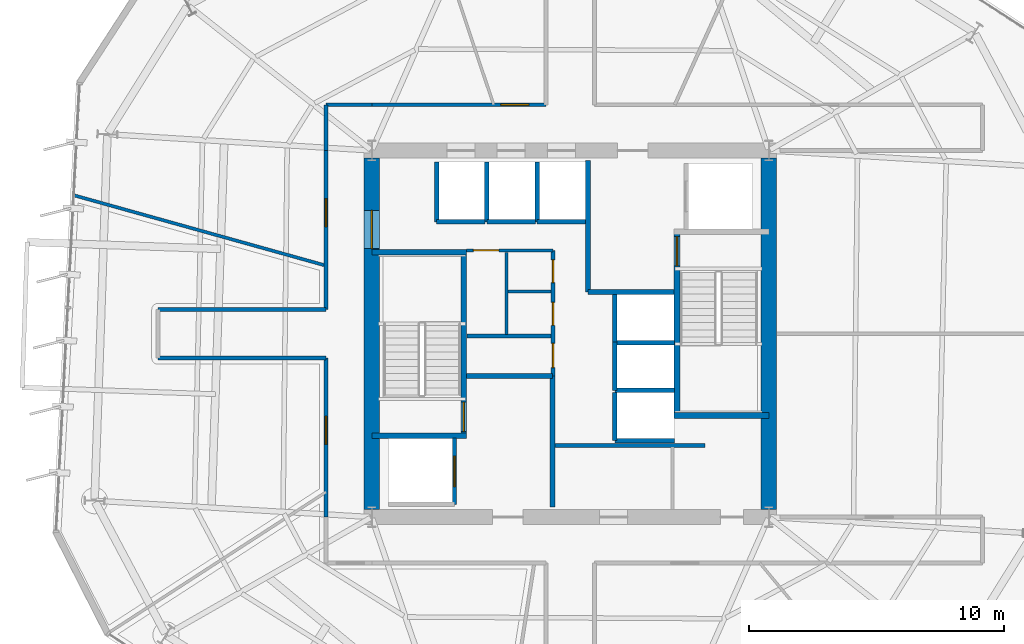
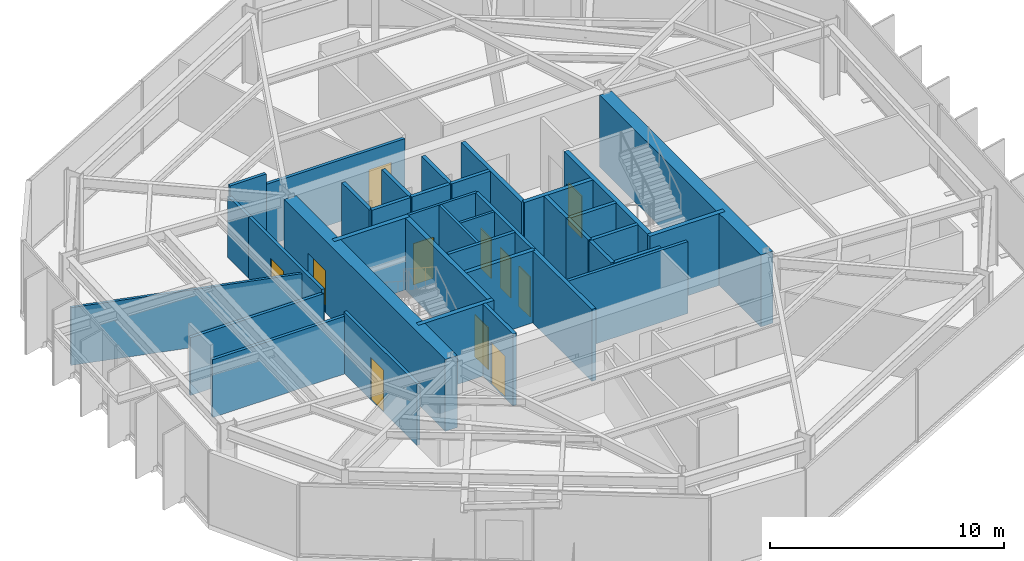
# One storey, part 7 of 10: 38 walls, 11 doors, 11 openings.
"""IFC4 building model written with IfcOpenShell, lengths in metres."""

from ifc_helpers import new_model, si_unit, direction, frame, frame_2d, origin, place, context, subcontext, project, spatial, rectangle, extrude, material, layer, layer_set, type_object, element, fill, save


model = new_model("IFC4")

# Units and contexts
model_context = context("Model", 3, precision=1e-05, world=origin(), true_north=direction((0.0, 1.0)))
body_context = subcontext(model_context, "Body", "Model", "MODEL_VIEW")
ifc_project = project(units=[si_unit("LENGTHUNIT", "METRE"), si_unit("AREAUNIT", "SQUARE_METRE"), si_unit("VOLUMEUNIT", "CUBIC_METRE"), si_unit("PLANEANGLEUNIT", "RADIAN"), si_unit("MASSUNIT", "GRAM", prefix="KILO")], contexts=[model_context])

# Site, building, storey
site_placement = place(None, origin())
site = spatial("IfcSite", under=ifc_project, at=site_placement, CompositionType="ELEMENT")
building_placement = place(site_placement, origin())
building = spatial("IfcBuilding", under=site, at=building_placement, Name="Kranzbogen Civic Tower", CompositionType="ELEMENT")
storey_placement = place(building_placement, frame((0.0, 0.0, 130.39990234375)))
storey = spatial("IfcBuildingStorey", under=building, at=storey_placement, Name="L31", CompositionType="ELEMENT", Elevation=130.39990234375)

# Wall
ifc_material_1 = material(Name="Double-Stud Acoustic Gypsum Partition")
ifc_layer_1 = layer(ifc_material_1, 0.14990234375, Name="Double-Stud Acoustic Gypsum Partition")
ifc_layer_set_1 = layer_set([ifc_layer_1], Name="Double-Stud Acoustic Gypsum Partition")
wall_type_1 = type_object("IfcWallType", Name="Acoustic Corridor and Clinical Partition 150 mm", PredefinedType="PARTITIONING", material=ifc_layer_set_1)
wall_1_placement = place(storey_placement, frame((24.39990234375, 20.610107421875, 0.0), z_axis=(0.0, 0.0, 1.0), x_axis=(1.0, 0.0, 0.0)))
element("IfcWall", 1, at=wall_1_placement, inside=storey, type_object=wall_type_1, Name="L31 records zone North wall", PredefinedType="PARTITIONING", context=body_context, shape_type="SweptSolid", body=[
    extrude(rectangle(XDim=5.900146484375, YDim=0.14990234375, at=frame_2d((2.9501953125, 0.0))), origin(), (0.0, 0.0, 1.0), 3.760009765625),
])

# Wall, opening, door
wall_2_placement = place(storey_placement, frame((15.39990234375, 17.800048828125, 0.0), z_axis=(0.0, 0.0, 1.0), x_axis=(0.0, 1.0, 0.0)))
wall_2 = element("IfcWall", 2, at=wall_2_placement, inside=storey, type_object=wall_type_1, Name="L31 corridor partition 03", PredefinedType="PARTITIONING", context=body_context, shape_type="SweptSolid", body=[
    extrude(rectangle(XDim=6.25, YDim=0.14990234375, at=frame_2d((3.125, 0.0))), origin(), (0.0, 0.0, 1.0), 3.210205078125),
])
opening_1_placement = place(wall_2_placement, frame((2.85888671875, 0.0, 0.0)))
opening_1 = element("IfcOpeningElement", 3, at=opening_1_placement, cuts=wall_2, Name="Opening D-COR60", PredefinedType="OPENING", context=body_context, shape_type="SweptSolid", body=[
    extrude(rectangle(XDim=1.10009765625, YDim=2.199951171875, at=frame_2d((0.550048828125, 1.10009765625))), frame((0.0, 0.0849609375, 0.0), z_axis=(0.0, -1.0, 0.0), x_axis=(1.0, 0.0, 0.0)), (0.0, 0.0, 1.0), 0.169921875),
])
ifc_material_2 = material(Name="Oak Timber and Fire Core", Category="wood")
door_type_1 = type_object("IfcDoorType", Name="Corridor Acoustic Fire Door 1100x2200", OperationType="NOTDEFINED", PredefinedType="DOOR", material=ifc_material_2)
door_1_placement = place(opening_1_placement, origin())
door_1 = element("IfcDoor", 4, at=door_1_placement, inside=storey, type_object=door_type_1, Name="L31 Executive Briefing Conference Room door", OperationType="SINGLE_SWING_RIGHT", OverallHeight=2.199951171875, OverallWidth=1.10009765625, PredefinedType="DOOR", context=body_context, shape_type="SweptSolid", body=[
    extrude(rectangle(XDim=1.10009765625, YDim=2.199951171875, at=frame_2d((0.550048828125, 1.10009765625))), frame((0.0, 0.02490234375, 0.0), z_axis=(0.0, -1.0, 0.0), x_axis=(1.0, 0.0, 0.0)), (0.0, 0.0, 1.0), 0.050048828125),
])
fill(opening_1, door_1)

# Walls
for number, where, z_axis, x_axis, name in (
    (5, (15.39990234375, 24.050048828125, 0.0), (0.0, 0.0, 1.0), (-1.0, 0.0, 0.0), "L31 corridor partition 04"),
    (6, (8.800048828125, 25.949951171875, 0.0), (0.0, 0.0, 1.0), (1.0, 0.0, 0.0), "L31 corridor partition 06"),
):
    element("IfcWall", number, at=place(storey_placement, frame(where, z_axis=z_axis, x_axis=x_axis)), inside=storey, type_object=wall_type_1, Name=name, PredefinedType="PARTITIONING", context=body_context, shape_type="SweptSolid", body=[
        extrude(rectangle(XDim=6.599853515625, YDim=0.14990234375, at=frame_2d((3.2998046875, 0.0))), origin(), (0.0, 0.0, 1.0), 3.02001953125),
    ])

# Wall, opening, door
wall_3_placement = place(storey_placement, frame((15.39990234375, 25.949951171875, 0.0), z_axis=(0.0, 0.0, 1.0), x_axis=(0.0, 1.0, 0.0)))
wall_3 = element("IfcWall", 7, at=wall_3_placement, inside=storey, type_object=wall_type_1, Name="L31 corridor partition 07", PredefinedType="PARTITIONING", context=body_context, shape_type="SweptSolid", body=[
    extrude(rectangle(XDim=6.25, YDim=0.14990234375, at=frame_2d((3.125, 0.0))), origin(), (0.0, 0.0, 1.0), 3.210205078125),
])
opening_2_placement = place(wall_3_placement, frame((3.26611328125, 0.0, 0.0)))
opening_2 = element("IfcOpeningElement", 8, at=opening_2_placement, cuts=wall_3, Name="Opening D-COR60", PredefinedType="OPENING", context=body_context, shape_type="SweptSolid", body=[
    extrude(rectangle(XDim=1.10009765625, YDim=2.199951171875, at=frame_2d((0.550048828125, 1.10009765625))), frame((0.0, 0.0849609375, 0.0), z_axis=(0.0, -1.0, 0.0), x_axis=(1.0, 0.0, 0.0)), (0.0, 0.0, 1.0), 0.169921875),
])
door_2_placement = place(opening_2_placement, origin())
door_2 = element("IfcDoor", 9, at=door_2_placement, inside=storey, type_object=door_type_1, Name="L31 Citizen Services Kiosk door", OperationType="SINGLE_SWING_RIGHT", OverallHeight=2.199951171875, OverallWidth=1.10009765625, PredefinedType="DOOR", context=body_context, shape_type="SweptSolid", body=[
    extrude(rectangle(XDim=1.10009765625, YDim=2.199951171875, at=frame_2d((0.550048828125, 1.10009765625))), frame((0.0, 0.02490234375, 0.0), z_axis=(0.0, -1.0, 0.0), x_axis=(1.0, 0.0, 0.0)), (0.0, 0.0, 1.0), 0.050048828125),
])
fill(opening_2, door_2)

# Walls
wall_4_placement = place(storey_placement, frame((15.39990234375, 32.199951171875, 0.0), z_axis=(0.0, 0.0, 1.0), x_axis=(0.0, 1.0, 0.0)))
element("IfcWall", 10, at=wall_4_placement, inside=storey, type_object=wall_type_1, Name="L31 corridor partition 08", PredefinedType="PARTITIONING", context=body_context, shape_type="SweptSolid", body=[
    extrude(rectangle(XDim=1.800048828125, YDim=0.14990234375, at=frame_2d((0.89990234375, 0.0))), origin(), (0.0, 0.0, 1.0), 3.210205078125),
])
wall_5_placement = place(storey_placement, frame((15.39990234375, 34.0, 0.0), z_axis=(0.0, 0.0, 1.0), x_axis=(1.0, 0.0, 0.0)))
element("IfcWall", 11, at=wall_5_placement, inside=storey, type_object=wall_type_1, Name="L31 corridor partition 09", PredefinedType="PARTITIONING", context=body_context, shape_type="SweptSolid", body=[
    extrude(rectangle(XDim=1.800048828125, YDim=0.14990234375, at=frame_2d((0.89990234375, 0.0))), origin(), (0.0, 0.0, 1.0), 3.760009765625),
])

# Wall, opening, door
wall_6_placement = place(storey_placement, frame((17.199951171875, 34.0, 0.0), z_axis=(0.0, 0.0, 1.0), x_axis=(1.0, 0.0, 0.0)))
wall_6 = element("IfcWall", 12, at=wall_6_placement, inside=storey, type_object=wall_type_1, Name="L31 corridor partition 10", PredefinedType="PARTITIONING", context=body_context, shape_type="SweptSolid", body=[
    extrude(rectangle(XDim=6.85009765625, YDim=0.14990234375, at=frame_2d((3.425048828125, 0.0))), origin(), (0.0, 0.0, 1.0), 3.210205078125),
])
opening_3_placement = place(wall_6_placement, frame((5.074951171875, 0.0, 0.0)))
opening_3 = element("IfcOpeningElement", 13, at=opening_3_placement, cuts=wall_6, Name="Opening D-COR60", PredefinedType="OPENING", context=body_context, shape_type="SweptSolid", body=[
    extrude(rectangle(XDim=1.10009765625, YDim=2.199951171875, at=frame_2d((0.550048828125, 1.10009765625))), frame((0.0, 0.0849609375, 0.0), z_axis=(0.0, -1.0, 0.0), x_axis=(1.0, 0.0, 0.0)), (0.0, 0.0, 1.0), 0.169921875),
])
door_3_placement = place(opening_3_placement, origin())
door_3 = element("IfcDoor", 14, at=door_3_placement, inside=storey, type_object=door_type_1, Name="L31 Protocol Entrance Reception door", OperationType="SINGLE_SWING_LEFT", OverallHeight=2.199951171875, OverallWidth=1.10009765625, PredefinedType="DOOR", context=body_context, shape_type="SweptSolid", body=[
    extrude(rectangle(XDim=1.10009765625, YDim=2.199951171875, at=frame_2d((0.550048828125, 1.10009765625))), frame((0.0, 0.02490234375, 0.0), z_axis=(0.0, -1.0, 0.0), x_axis=(1.0, 0.0, 0.0)), (0.0, 0.0, 1.0), 0.050048828125),
])
fill(opening_3, door_3)

ifc_material_3 = material(Name="Insulated Metal-Stud Gypsum Partition")
ifc_layer_2 = layer(ifc_material_3, 0.125, Name="Insulated Metal-Stud Gypsum Partition")
ifc_layer_set_2 = layer_set([ifc_layer_2], Name="Insulated Metal-Stud Gypsum Partition")
wall_type_2 = type_object("IfcWallType", Name="Acoustic Inter-Room Partition 125 mm", PredefinedType="PARTITIONING", material=ifc_layer_set_2)
wall_7_placement = place(storey_placement, frame((20.919921875, 28.280029296875, 0.0), z_axis=(0.0, 0.0, 1.0), x_axis=(1.0, 0.0, 0.0)))
wall_7 = element("IfcWall", 15, at=wall_7_placement, inside=storey, type_object=wall_type_2, Name="L31 core auxiliary North wall", PredefinedType="PARTITIONING", context=body_context, shape_type="SweptSolid", body=[
    extrude(rectangle(XDim=3.405029296875, YDim=0.125, at=frame_2d((1.70263671875, 0.0))), origin(), (0.0, 0.0, 1.0), 3.760009765625),
])
opening_4_placement = place(wall_7_placement, frame((0.27001953125, 0.0, 0.0)))
opening_4 = element("IfcOpeningElement", 16, at=opening_4_placement, cuts=wall_7, Name="Opening D-RSR10", PredefinedType="OPENING", context=body_context, shape_type="SweptSolid", body=[
    extrude(rectangle(XDim=1.0, YDim=2.14990234375, at=frame_2d((0.5, 1.074951171875))), frame((0.0, 0.072509765625, 0.0), z_axis=(0.0, -1.0, 0.0), x_axis=(1.0, 0.0, 0.0)), (0.0, 0.0, 1.0), 0.14501953125),
])
door_type_2 = type_object("IfcDoorType", Name="Core Archive and Riser Fire Door 1000x2150", OperationType="NOTDEFINED", PredefinedType="DOOR", material=ifc_material_2)
door_4_placement = place(opening_4_placement, origin())
door_4 = element("IfcDoor", 17, at=door_4_placement, inside=storey, type_object=door_type_2, Name="L31 Floor Supply Store door", OperationType="SINGLE_SWING_LEFT", OverallHeight=2.14990234375, OverallWidth=1.0, PredefinedType="DOOR", context=body_context, shape_type="SweptSolid", body=[
    extrude(rectangle(XDim=1.0, YDim=2.14990234375, at=frame_2d((0.5, 1.074951171875))), frame((0.0, 0.02490234375, 0.0), z_axis=(0.0, -1.0, 0.0), x_axis=(1.0, 0.0, 0.0)), (0.0, 0.0, 1.0), 0.050048828125),
])
fill(opening_4, door_4)

# Walls
wall_8_placement = place(storey_placement, frame((22.489990234375, 24.969970703125, 0.0), z_axis=(0.0, 0.0, 1.0), x_axis=(0.0, 1.0, 0.0)))
element("IfcWall", 18, at=wall_8_placement, inside=storey, type_object=wall_type_2, Name="L31 core auxiliary partition 3", PredefinedType="PARTITIONING", context=body_context, shape_type="SweptSolid", body=[
    extrude(rectangle(XDim=3.22998046875, YDim=0.125, at=frame_2d((1.614990234375, 0.0))), origin(), (0.0, 0.0, 1.0), 3.760009765625),
])
wall_9_placement = place(storey_placement, frame((22.550048828125, 26.659912109375, 0.0), z_axis=(0.0, 0.0, 1.0), x_axis=(1.0, 0.0, 0.0)))
element("IfcWall", 19, at=wall_9_placement, inside=storey, type_object=wall_type_2, Name="L31 core auxiliary partition 4", PredefinedType="PARTITIONING", context=body_context, shape_type="SweptSolid", body=[
    extrude(rectangle(XDim=1.699951171875, YDim=0.125, at=frame_2d((0.85009765625, 0.0))), origin(), (0.0, 0.0, 1.0), 3.760009765625),
])
wall_10_placement = place(storey_placement, frame((15.39990234375, 27.678955078125, 0.0), z_axis=(0.0, 0.0, 1.0), x_axis=(-0.963195872144, 0.268800505737, 0.0)))
element("IfcWall", 20, at=wall_10_placement, inside=storey, type_object=wall_type_2, Name="L31 radial room partition 03", PredefinedType="PARTITIONING", context=body_context, shape_type="SweptSolid", body=[
    extrude(rectangle(XDim=10.275146484375, YDim=0.125, at=frame_2d((5.1376953125, 0.0))), origin(), (0.0, 0.0, 1.0), 3.02001953125),
])

# Wall, opening, door
ifc_material_4 = material(Name="Concrete C55/67", Category="concrete")
ifc_layer_3 = layer(ifc_material_4, 0.60009765625, Name="Concrete C55/67")
ifc_layer_set_3 = layer_set([ifc_layer_3], Name="Concrete C55/67")
wall_type_3 = type_object("IfcWallType", Name="Central Core Shear Wall 600 mm", PredefinedType="SHEAR", material=ifc_layer_set_3)
wall_11_placement = place(storey_placement, frame((17.199951171875, 31.89990234375, 0.0), z_axis=(0.0, 0.0, 1.0), x_axis=(0.0, -1.0, 0.0)))
wall_11 = element("IfcWall", 21, at=wall_11_placement, inside=storey, type_object=wall_type_3, Name="L31 central core West shear wall", PredefinedType="SHEAR", context=body_context, shape_type="SweptSolid", body=[
    extrude(rectangle(XDim=13.7998046875, YDim=0.60009765625, at=frame_2d((6.89990234375, 0.0))), origin(), (0.0, 0.0, 1.0), 3.760009765625),
])
opening_5_placement = place(wall_11_placement, frame((2.050048828125, 0.0, 0.0)))
opening_5 = element("IfcOpeningElement", 22, at=opening_5_placement, cuts=wall_11, Name="Opening D-DBL15", PredefinedType="OPENING", context=body_context, shape_type="SweptSolid", body=[
    extrude(rectangle(XDim=1.5, YDim=2.199951171875, at=frame_2d((0.75, 1.10009765625))), frame((0.0, 0.31005859375, 0.0), z_axis=(0.0, -1.0, 0.0), x_axis=(1.0, 0.0, 0.0)), (0.0, 0.0, 1.0), 0.6201171875),
])
ifc_material_5 = material(Name="Anodised Bronze and Glass", Category="glass")
door_type_3 = type_object("IfcDoorType", Name="Civic Lobby Double Door 1500x2200", OperationType="DOUBLE_DOOR_SINGLE_SWING", PredefinedType="DOOR", material=ifc_material_5)
door_5_placement = place(opening_5_placement, origin())
door_5 = element("IfcDoor", 23, at=door_5_placement, inside=storey, type_object=door_type_3, Name="L31 Central Lift Lobby West concourse door", OperationType="DOUBLE_DOOR_SINGLE_SWING", OverallHeight=2.199951171875, OverallWidth=1.5, PredefinedType="DOOR", context=body_context, shape_type="SweptSolid", body=[
    extrude(rectangle(XDim=1.5, YDim=2.199951171875, at=frame_2d((0.75, 1.10009765625))), frame((0.0, 0.02490234375, 0.0), z_axis=(0.0, -1.0, 0.0), x_axis=(1.0, 0.0, 0.0)), (0.0, 0.0, 1.0), 0.050048828125),
])
fill(opening_5, door_5)

# Wall
wall_12_placement = place(storey_placement, frame((32.800048828125, 18.10009765625, 0.0), z_axis=(0.0, 0.0, 1.0), x_axis=(0.0, 1.0, 0.0)))
element("IfcWall", 24, at=wall_12_placement, inside=storey, type_object=wall_type_3, Name="L31 central core East shear wall", PredefinedType="SHEAR", context=body_context, shape_type="SweptSolid", body=[
    extrude(rectangle(XDim=13.7998046875, YDim=0.60009765625, at=frame_2d((6.89990234375, 0.0))), origin(), (0.0, 0.0, 1.0), 3.760009765625),
])

# Wall, opening, door
ifc_material_6 = material(Name="Concrete C45/55", Category="concrete")
ifc_layer_4 = layer(ifc_material_6, 0.219970703125, Name="Concrete C45/55")
ifc_layer_set_4 = layer_set([ifc_layer_4], Name="Concrete C45/55")
wall_type_4 = type_object("IfcWallType", Name="Core Internal Stair Structural Wall 220 mm", PredefinedType="SOLIDWALL", material=ifc_layer_set_4)
wall_13_placement = place(storey_placement, frame((20.81005859375, 20.989990234375, 0.0), z_axis=(0.0, 0.0, 1.0), x_axis=(0.0, 1.0, 0.0)))
wall_13 = element("IfcWall", 25, at=wall_13_placement, inside=storey, type_object=wall_type_4, Name="L31 ST-T1 East structural stair wall", PredefinedType="SOLIDWALL", context=body_context, shape_type="SweptSolid", body=[
    extrude(rectangle(XDim=7.219970703125, YDim=0.219970703125, at=frame_2d((3.60986328125, 0.0))), origin(), (0.0, 0.0, 1.0), 3.760009765625),
])
opening_6_placement = place(wall_13_placement, frame((0.179931640625, 0.0, 0.0)))
opening_6 = element("IfcOpeningElement", 26, at=opening_6_placement, cuts=wall_13, Name="Opening D-ST90", PredefinedType="OPENING", context=body_context, shape_type="SweptSolid", body=[
    extrude(rectangle(XDim=1.14990234375, YDim=2.199951171875, at=frame_2d((0.574951171875, 1.10009765625))), frame((0.0, 0.1201171875, 0.0), z_axis=(0.0, -1.0, 0.0), x_axis=(1.0, 0.0, 0.0)), (0.0, 0.0, 1.0), 0.239990234375),
])
ifc_material_7 = material(Name="Steel S355", Category="steel")
door_type_4 = type_object("IfcDoorType", Name="Pressurized Stair and Lobby Fire Door 1150x2200", OperationType="NOTDEFINED", PredefinedType="DOOR", material=ifc_material_7)
door_6_placement = place(opening_6_placement, origin())
door_6 = element("IfcDoor", 27, at=door_6_placement, inside=storey, type_object=door_type_4, Name="L31 Stair ST-T1 fire door", OperationType="SINGLE_SWING_RIGHT", OverallHeight=2.199951171875, OverallWidth=1.14990234375, PredefinedType="DOOR", context=body_context, shape_type="SweptSolid", body=[
    extrude(rectangle(XDim=1.14990234375, YDim=2.199951171875, at=frame_2d((0.574951171875, 1.10009765625))), frame((0.0, 0.02490234375, 0.0), z_axis=(0.0, -1.0, 0.0), x_axis=(1.0, 0.0, 0.0)), (0.0, 0.0, 1.0), 0.050048828125),
])
fill(opening_6, door_6)

# Walls
for number, where, z_axis, x_axis, name in (
    (28, (17.199951171875, 20.989990234375, 0.0), (0.0, 0.0, 1.0), (1.0, 0.0, 0.0), "L31 ST-T1 South structural stair wall"),
    (29, (17.199951171875, 28.2099609375, 0.0), (0.0, 0.0, 1.0), (1.0, 0.0, 0.0), "L31 ST-T1 North structural stair wall"),
):
    element("IfcWall", number, at=place(storey_placement, frame(where, z_axis=z_axis, x_axis=x_axis)), inside=storey, type_object=wall_type_4, Name=name, PredefinedType="SOLIDWALL", context=body_context, shape_type="SweptSolid", body=[
        extrude(rectangle(XDim=3.719970703125, YDim=0.219970703125, at=frame_2d((1.85986328125, 0.0))), origin(), (0.0, 0.0, 1.0), 3.760009765625),
    ])

# Wall, opening, door
wall_14_placement = place(storey_placement, frame((29.18994140625, 21.7900390625, 0.0), z_axis=(0.0, 0.0, 1.0), x_axis=(0.0, 1.0, 0.0)))
wall_14 = element("IfcWall", 30, at=wall_14_placement, inside=storey, type_object=wall_type_4, Name="L31 ST-T2 West structural stair wall", PredefinedType="SOLIDWALL", context=body_context, shape_type="SweptSolid", body=[
    extrude(rectangle(XDim=7.219970703125, YDim=0.219970703125, at=frame_2d((3.60986328125, 0.0))), origin(), (0.0, 0.0, 1.0), 3.760009765625),
])
opening_7_placement = place(wall_14_placement, frame((5.8798828125, 0.0, 0.0)))
opening_7 = element("IfcOpeningElement", 31, at=opening_7_placement, cuts=wall_14, Name="Opening D-ST90", PredefinedType="OPENING", context=body_context, shape_type="SweptSolid", body=[
    extrude(rectangle(XDim=1.14990234375, YDim=2.199951171875, at=frame_2d((0.574951171875, 1.10009765625))), frame((0.0, 0.1201171875, 0.0), z_axis=(0.0, -1.0, 0.0), x_axis=(1.0, 0.0, 0.0)), (0.0, 0.0, 1.0), 0.239990234375),
])
door_7_placement = place(opening_7_placement, origin())
door_7 = element("IfcDoor", 32, at=door_7_placement, inside=storey, type_object=door_type_4, Name="L31 Stair ST-T2 fire door", OperationType="SINGLE_SWING_LEFT", OverallHeight=2.199951171875, OverallWidth=1.14990234375, PredefinedType="DOOR", context=body_context, shape_type="SweptSolid", body=[
    extrude(rectangle(XDim=1.14990234375, YDim=2.199951171875, at=frame_2d((0.574951171875, 1.10009765625))), frame((0.0, 0.02490234375, 0.0), z_axis=(0.0, -1.0, 0.0), x_axis=(1.0, 0.0, 0.0)), (0.0, 0.0, 1.0), 0.050048828125),
])
fill(opening_7, door_7)

# Walls
wall_15_placement = place(storey_placement, frame((29.080078125, 21.7900390625, 0.0), z_axis=(0.0, 0.0, 1.0), x_axis=(1.0, 0.0, 0.0)))
element("IfcWall", 33, at=wall_15_placement, inside=storey, type_object=wall_type_4, Name="L31 ST-T2 South structural stair wall", PredefinedType="SOLIDWALL", context=body_context, shape_type="SweptSolid", body=[
    extrude(rectangle(XDim=3.719970703125, YDim=0.219970703125, at=frame_2d((1.85986328125, 0.0))), origin(), (0.0, 0.0, 1.0), 3.760009765625),
])
ifc_material_8 = material(Name="Gypsum Fireboard and Concrete Block", Category="concrete")
ifc_layer_5 = layer(ifc_material_8, 0.199951171875, Name="Gypsum Fireboard and Concrete Block")
ifc_layer_set_5 = layer_set([ifc_layer_5], Name="Gypsum Fireboard and Concrete Block")
wall_type_5 = type_object("IfcWallType", Name="Fire-Rated Exit Passageway and Stair Wall 200 mm", PredefinedType="PARTITIONING", material=ifc_layer_set_5)
wall_16_placement = place(storey_placement, frame((24.300048828125, 18.199951171875, 0.0), z_axis=(0.0, 0.0, 1.0), x_axis=(0.0, 1.0, 0.0)))
element("IfcWall", 34, at=wall_16_placement, inside=storey, type_object=wall_type_5, Name="L31 West firefighting lobby East wall", PredefinedType="PARTITIONING", context=body_context, shape_type="SweptSolid", body=[
    extrude(rectangle(XDim=5.150146484375, YDim=0.199951171875, at=frame_2d((2.5751953125, 0.0))), origin(), (0.0, 0.0, 1.0), 3.760009765625),
])
wall_17_placement = place(storey_placement, frame((20.919921875, 23.35009765625, 0.0), z_axis=(0.0, 0.0, 1.0), x_axis=(1.0, 0.0, 0.0)))
element("IfcWall", 35, at=wall_17_placement, inside=storey, type_object=wall_type_5, Name="L31 West firefighting lobby North wall", PredefinedType="PARTITIONING", context=body_context, shape_type="SweptSolid", body=[
    extrude(rectangle(XDim=3.380126953125, YDim=0.199951171875, at=frame_2d((1.68994140625, 0.0))), origin(), (0.0, 0.0, 1.0), 3.760009765625),
])
wall_18_placement = place(storey_placement, frame((25.699951171875, 26.64990234375, 0.0), z_axis=(0.0, 0.0, 1.0), x_axis=(0.0, 1.0, 0.0)))
element("IfcWall", 36, at=wall_18_placement, inside=storey, type_object=wall_type_5, Name="L31 East firefighting lobby West wall", PredefinedType="PARTITIONING", context=body_context, shape_type="SweptSolid", body=[
    extrude(rectangle(XDim=5.150146484375, YDim=0.199951171875, at=frame_2d((2.5751953125, 0.0))), origin(), (0.0, 0.0, 1.0), 3.760009765625),
])
wall_19_placement = place(storey_placement, frame((25.699951171875, 26.64990234375, 0.0), z_axis=(0.0, 0.0, 1.0), x_axis=(1.0, 0.0, 0.0)))
element("IfcWall", 37, at=wall_19_placement, inside=storey, type_object=wall_type_5, Name="L31 East firefighting lobby South wall", PredefinedType="PARTITIONING", context=body_context, shape_type="SweptSolid", body=[
    extrude(rectangle(XDim=3.380126953125, YDim=0.199951171875, at=frame_2d((1.68994140625, 0.0))), origin(), (0.0, 0.0, 1.0), 3.760009765625),
])
ifc_material_9 = material(Name="Gypsum Fireboard Shaftliner")
ifc_layer_6 = layer(ifc_material_9, 0.175048828125, Name="Gypsum Fireboard Shaftliner")
ifc_layer_set_6 = layer_set([ifc_layer_6], Name="Gypsum Fireboard Shaftliner")
wall_type_6 = type_object("IfcWallType", Name="Fire-Rated Lift and Service Shaft Wall 175 mm", PredefinedType="PARTITIONING", material=ifc_layer_set_6)
wall_20_placement = place(storey_placement, frame((19.75, 29.39990234375, 0.0), z_axis=(0.0, 0.0, 1.0), x_axis=(1.0, 0.0, 0.0)))
element("IfcWall", 38, at=wall_20_placement, inside=storey, type_object=wall_type_6, Name="L31 lift MP-01 rear wall", PredefinedType="PARTITIONING", context=body_context, shape_type="SweptSolid", body=[
    extrude(rectangle(XDim=1.89990234375, YDim=0.175048828125, at=frame_2d((0.949951171875, 0.0))), origin(), (0.0, 0.0, 1.0), 3.760009765625),
])
wall_21_placement = place(storey_placement, frame((19.75, 29.39990234375, 0.0), z_axis=(0.0, 0.0, 1.0), x_axis=(0.0, 1.0, 0.0)))
element("IfcWall", 39, at=wall_21_placement, inside=storey, type_object=wall_type_6, Name="L31 lift MP-01 side wall", PredefinedType="PARTITIONING", context=body_context, shape_type="SweptSolid", body=[
    extrude(rectangle(XDim=2.35009765625, YDim=0.175048828125, at=frame_2d((1.175048828125, 0.0))), origin(), (0.0, 0.0, 1.0), 3.760009765625),
])
wall_22_placement = place(storey_placement, frame((21.72509765625, 29.39990234375, 0.0), z_axis=(0.0, 0.0, 1.0), x_axis=(1.0, 0.0, 0.0)))
element("IfcWall", 40, at=wall_22_placement, inside=storey, type_object=wall_type_6, Name="L31 lift MP-02 rear wall", PredefinedType="PARTITIONING", context=body_context, shape_type="SweptSolid", body=[
    extrude(rectangle(XDim=1.89990234375, YDim=0.175048828125, at=frame_2d((0.949951171875, 0.0))), origin(), (0.0, 0.0, 1.0), 3.760009765625),
])
wall_23_placement = place(storey_placement, frame((21.72509765625, 29.39990234375, 0.0), z_axis=(0.0, 0.0, 1.0), x_axis=(0.0, 1.0, 0.0)))
element("IfcWall", 41, at=wall_23_placement, inside=storey, type_object=wall_type_6, Name="L31 lift MP-02 side wall", PredefinedType="PARTITIONING", context=body_context, shape_type="SweptSolid", body=[
    extrude(rectangle(XDim=2.35009765625, YDim=0.175048828125, at=frame_2d((1.175048828125, 0.0))), origin(), (0.0, 0.0, 1.0), 3.760009765625),
])
wall_24_placement = place(storey_placement, frame((23.699951171875, 29.39990234375, 0.0), z_axis=(0.0, 0.0, 1.0), x_axis=(1.0, 0.0, 0.0)))
element("IfcWall", 42, at=wall_24_placement, inside=storey, type_object=wall_type_6, Name="L31 lift MP-03 rear wall", PredefinedType="PARTITIONING", context=body_context, shape_type="SweptSolid", body=[
    extrude(rectangle(XDim=1.900146484375, YDim=0.175048828125, at=frame_2d((0.9501953125, 0.0))), origin(), (0.0, 0.0, 1.0), 3.760009765625),
])
wall_25_placement = place(storey_placement, frame((23.699951171875, 29.39990234375, 0.0), z_axis=(0.0, 0.0, 1.0), x_axis=(0.0, 1.0, 0.0)))
element("IfcWall", 43, at=wall_25_placement, inside=storey, type_object=wall_type_6, Name="L31 lift MP-03 side wall", PredefinedType="PARTITIONING", context=body_context, shape_type="SweptSolid", body=[
    extrude(rectangle(XDim=2.35009765625, YDim=0.175048828125, at=frame_2d((1.175048828125, 0.0))), origin(), (0.0, 0.0, 1.0), 3.760009765625),
])
wall_26_placement = place(storey_placement, frame((26.75, 20.800048828125, 0.0), z_axis=(0.0, 0.0, 1.0), x_axis=(0.0, 1.0, 0.0)))
element("IfcWall", 44, at=wall_26_placement, inside=storey, type_object=wall_type_6, Name="L31 lift HP-01 landing wall", PredefinedType="PARTITIONING", context=body_context, shape_type="SweptSolid", body=[
    extrude(rectangle(XDim=1.89990234375, YDim=0.175048828125, at=frame_2d((0.949951171875, 0.0))), origin(), (0.0, 0.0, 1.0), 3.760009765625),
])
wall_27_placement = place(storey_placement, frame((26.75, 20.800048828125, 0.0), z_axis=(0.0, 0.0, 1.0), x_axis=(1.0, 0.0, 0.0)))
element("IfcWall", 45, at=wall_27_placement, inside=storey, type_object=wall_type_6, Name="L31 lift HP-01 side wall", PredefinedType="PARTITIONING", context=body_context, shape_type="SweptSolid", body=[
    extrude(rectangle(XDim=2.35009765625, YDim=0.175048828125, at=frame_2d((1.175048828125, 0.0))), origin(), (0.0, 0.0, 1.0), 3.760009765625),
])
wall_28_placement = place(storey_placement, frame((26.75, 22.77490234375, 0.0), z_axis=(0.0, 0.0, 1.0), x_axis=(0.0, 1.0, 0.0)))
element("IfcWall", 46, at=wall_28_placement, inside=storey, type_object=wall_type_6, Name="L31 lift HP-02 landing wall", PredefinedType="PARTITIONING", context=body_context, shape_type="SweptSolid", body=[
    extrude(rectangle(XDim=1.900146484375, YDim=0.175048828125, at=frame_2d((0.9501953125, 0.0))), origin(), (0.0, 0.0, 1.0), 3.760009765625),
])
wall_29_placement = place(storey_placement, frame((26.75, 22.77490234375, 0.0), z_axis=(0.0, 0.0, 1.0), x_axis=(1.0, 0.0, 0.0)))
element("IfcWall", 47, at=wall_29_placement, inside=storey, type_object=wall_type_6, Name="L31 lift HP-02 side wall", PredefinedType="PARTITIONING", context=body_context, shape_type="SweptSolid", body=[
    extrude(rectangle(XDim=2.35009765625, YDim=0.175048828125, at=frame_2d((1.175048828125, 0.0))), origin(), (0.0, 0.0, 1.0), 3.760009765625),
])
wall_30_placement = place(storey_placement, frame((26.75, 24.64990234375, 0.0), z_axis=(0.0, 0.0, 1.0), x_axis=(0.0, 1.0, 0.0)))
element("IfcWall", 48, at=wall_30_placement, inside=storey, type_object=wall_type_6, Name="L31 lift HP-03 landing wall", PredefinedType="PARTITIONING", context=body_context, shape_type="SweptSolid", body=[
    extrude(rectangle(XDim=1.900146484375, YDim=0.175048828125, at=frame_2d((0.9501953125, 0.0))), origin(), (0.0, 0.0, 1.0), 3.760009765625),
])
wall_31_placement = place(storey_placement, frame((26.75, 24.64990234375, 0.0), z_axis=(0.0, 0.0, 1.0), x_axis=(1.0, 0.0, 0.0)))
element("IfcWall", 49, at=wall_31_placement, inside=storey, type_object=wall_type_6, Name="L31 lift HP-03 side wall", PredefinedType="PARTITIONING", context=body_context, shape_type="SweptSolid", body=[
    extrude(rectangle(XDim=2.35009765625, YDim=0.175048828125, at=frame_2d((1.175048828125, 0.0))), origin(), (0.0, 0.0, 1.0), 3.760009765625),
])

# Wall, opening, door
wall_32_placement = place(storey_placement, frame((20.449951171875, 18.300048828125, 0.0), z_axis=(0.0, 0.0, 1.0), x_axis=(0.0, 1.0, 0.0)))
wall_32 = element("IfcWall", 50, at=wall_32_placement, inside=storey, type_object=wall_type_6, Name="L31 lift FF-01 landing wall", PredefinedType="PARTITIONING", context=body_context, shape_type="SweptSolid", body=[
    extrude(rectangle(XDim=2.599853515625, YDim=0.175048828125, at=frame_2d((1.2998046875, 0.0))), origin(), (0.0, 0.0, 1.0), 3.760009765625),
])
opening_8_placement = place(wall_32_placement, frame((0.699951171875, 0.0, 0.0)))
opening_8 = element("IfcOpeningElement", 51, at=opening_8_placement, cuts=wall_32, Name="Opening LD-FF-01", PredefinedType="OPENING", context=body_context, shape_type="SweptSolid", body=[
    extrude(rectangle(XDim=1.199951171875, YDim=2.199951171875, at=frame_2d((0.60009765625, 1.10009765625))), frame((0.0, 0.09765625, 0.0), z_axis=(0.0, -1.0, 0.0), x_axis=(1.0, 0.0, 0.0)), (0.0, 0.0, 1.0), 0.195068359375),
])
ifc_material_10 = material(Name="Pale Anodised Aluminium", Category="aluminium")
door_type_5 = type_object("IfcDoorType", Name="Firefighting and Stretcher Lift Sliding Landing Door 1200x2200", OperationType="DOUBLE_DOOR_SLIDING", PredefinedType="DOOR", material=ifc_material_10)
door_8_placement = place(opening_8_placement, origin())
door_8 = element("IfcDoor", 52, at=door_8_placement, inside=storey, type_object=door_type_5, Name="L31 lift FF-01 sliding landing door", OperationType="DOUBLE_DOOR_SLIDING", OverallHeight=2.199951171875, OverallWidth=1.199951171875, PredefinedType="DOOR", context=body_context, shape_type="SweptSolid", body=[
    extrude(rectangle(XDim=1.199951171875, YDim=2.199951171875, at=frame_2d((0.60009765625, 1.10009765625))), frame((0.0, 0.02490234375, 0.0), z_axis=(0.0, -1.0, 0.0), x_axis=(1.0, 0.0, 0.0)), (0.0, 0.0, 1.0), 0.050048828125),
])
fill(opening_8, door_8)

# Wall, openings, doors
ifc_material_11 = material(Name="Moisture-Resistant Gypsum Assembly")
ifc_layer_7 = layer(ifc_material_11, 0.159912109375, Name="Moisture-Resistant Gypsum Assembly")
ifc_layer_set_7 = layer_set([ifc_layer_7], Name="Moisture-Resistant Gypsum Assembly")
wall_type_7 = type_object("IfcWallType", Name="Sanitary and Plumbing Wet Wall 160 mm", PredefinedType="PLUMBINGWALL", material=ifc_layer_set_7)
wall_33_placement = place(storey_placement, frame((24.324951171875, 23.35009765625, 0.0), z_axis=(0.0, 0.0, 1.0), x_axis=(0.0, 1.0, 0.0)))
wall_33 = element("IfcWall", 53, at=wall_33_placement, inside=storey, type_object=wall_type_7, Name="L31 core auxiliary East wall", PredefinedType="PLUMBINGWALL", context=body_context, shape_type="SweptSolid", body=[
    extrude(rectangle(XDim=4.929931640625, YDim=0.159912109375, at=frame_2d((2.46484375, 0.0))), origin(), (0.0, 0.0, 1.0), 3.760009765625),
])
opening_9_placement = place(wall_33_placement, frame((0.324951171875, 0.0, 0.0)))
opening_9 = element("IfcOpeningElement", 54, at=opening_9_placement, cuts=wall_33, Name="Opening D-AWC95", PredefinedType="OPENING", context=body_context, shape_type="SweptSolid", body=[
    extrude(rectangle(XDim=0.949951171875, YDim=2.10009765625, at=frame_2d((0.47509765625, 1.050048828125))), frame((0.0, 0.08984375, 0.0), z_axis=(0.0, -1.0, 0.0), x_axis=(1.0, 0.0, 0.0)), (0.0, 0.0, 1.0), 0.179931640625),
])
opening_10_placement = place(wall_33_placement, frame((1.985107421875, 0.0, 0.0)))
opening_10 = element("IfcOpeningElement", 55, at=opening_10_placement, cuts=wall_33, Name="Opening D-WC90", PredefinedType="OPENING", context=body_context, shape_type="SweptSolid", body=[
    extrude(rectangle(XDim=0.89990234375, YDim=2.10009765625, at=frame_2d((0.449951171875, 1.050048828125))), frame((0.0, 0.08984375, 0.0), z_axis=(0.0, -1.0, 0.0), x_axis=(1.0, 0.0, 0.0)), (0.0, 0.0, 1.0), 0.179931640625),
])
opening_11_placement = place(wall_33_placement, frame((3.659912109375, 0.0, 0.0)))
opening_11 = element("IfcOpeningElement", 56, at=opening_11_placement, cuts=wall_33, Name="Opening D-WC90", PredefinedType="OPENING", context=body_context, shape_type="SweptSolid", body=[
    extrude(rectangle(XDim=0.89990234375, YDim=2.10009765625, at=frame_2d((0.449951171875, 1.050048828125))), frame((0.0, 0.08984375, 0.0), z_axis=(0.0, -1.0, 0.0), x_axis=(1.0, 0.0, 0.0)), (0.0, 0.0, 1.0), 0.179931640625),
])
ifc_material_12 = material(Name="Moisture-Resistant Laminate")
door_type_6 = type_object("IfcDoorType", Name="Accessible Restroom Door 950x2100", OperationType="NOTDEFINED", PredefinedType="DOOR", material=ifc_material_12)
door_9_placement = place(opening_9_placement, origin())
door_9 = element("IfcDoor", 57, at=door_9_placement, inside=storey, type_object=door_type_6, Name="L31 Accessible Restroom door", OperationType="SINGLE_SWING_RIGHT", OverallHeight=2.10009765625, OverallWidth=0.949951171875, PredefinedType="DOOR", context=body_context, shape_type="SweptSolid", body=[
    extrude(rectangle(XDim=0.949951171875, YDim=2.10009765625, at=frame_2d((0.47509765625, 1.050048828125))), frame((0.0, 0.02490234375, 0.0), z_axis=(0.0, -1.0, 0.0), x_axis=(1.0, 0.0, 0.0)), (0.0, 0.0, 1.0), 0.050048828125),
])
fill(opening_9, door_9)
door_type_7 = type_object("IfcDoorType", Name="Standard Restroom and Store Door 900x2100", OperationType="NOTDEFINED", PredefinedType="DOOR", material=ifc_material_12)
door_10_placement = place(opening_10_placement, origin())
door_10 = element("IfcDoor", 58, at=door_10_placement, inside=storey, type_object=door_type_7, Name="L31 Gender-Neutral Restroom door", OperationType="SINGLE_SWING_LEFT", OverallHeight=2.10009765625, OverallWidth=0.89990234375, PredefinedType="DOOR", context=body_context, shape_type="SweptSolid", body=[
    extrude(rectangle(XDim=0.89990234375, YDim=2.10009765625, at=frame_2d((0.449951171875, 1.050048828125))), frame((0.0, 0.02490234375, 0.0), z_axis=(0.0, -1.0, 0.0), x_axis=(1.0, 0.0, 0.0)), (0.0, 0.0, 1.0), 0.050048828125),
])
fill(opening_10, door_10)
door_11_placement = place(opening_11_placement, origin())
door_11 = element("IfcDoor", 59, at=door_11_placement, inside=storey, type_object=door_type_7, Name="L31 Floor IT Patch Closet door", OperationType="SINGLE_SWING_RIGHT", OverallHeight=2.10009765625, OverallWidth=0.89990234375, PredefinedType="DOOR", context=body_context, shape_type="SweptSolid", body=[
    extrude(rectangle(XDim=0.89990234375, YDim=2.10009765625, at=frame_2d((0.449951171875, 1.050048828125))), frame((0.0, 0.02490234375, 0.0), z_axis=(0.0, -1.0, 0.0), x_axis=(1.0, 0.0, 0.0)), (0.0, 0.0, 1.0), 0.050048828125),
])
fill(opening_11, door_11)

# Wall
wall_34_placement = place(storey_placement, frame((20.949951171875, 24.909912109375, 0.0), z_axis=(0.0, 0.0, 1.0), x_axis=(1.0, 0.0, 0.0)))
element("IfcWall", 60, at=wall_34_placement, inside=storey, type_object=wall_type_7, Name="L31 core auxiliary partition 2", PredefinedType="PLUMBINGWALL", context=body_context, shape_type="SweptSolid", body=[
    extrude(rectangle(XDim=3.300048828125, YDim=0.159912109375, at=frame_2d((1.64990234375, 0.0))), origin(), (0.0, 0.0, 1.0), 3.760009765625),
])

save(model, "model.ifc")
